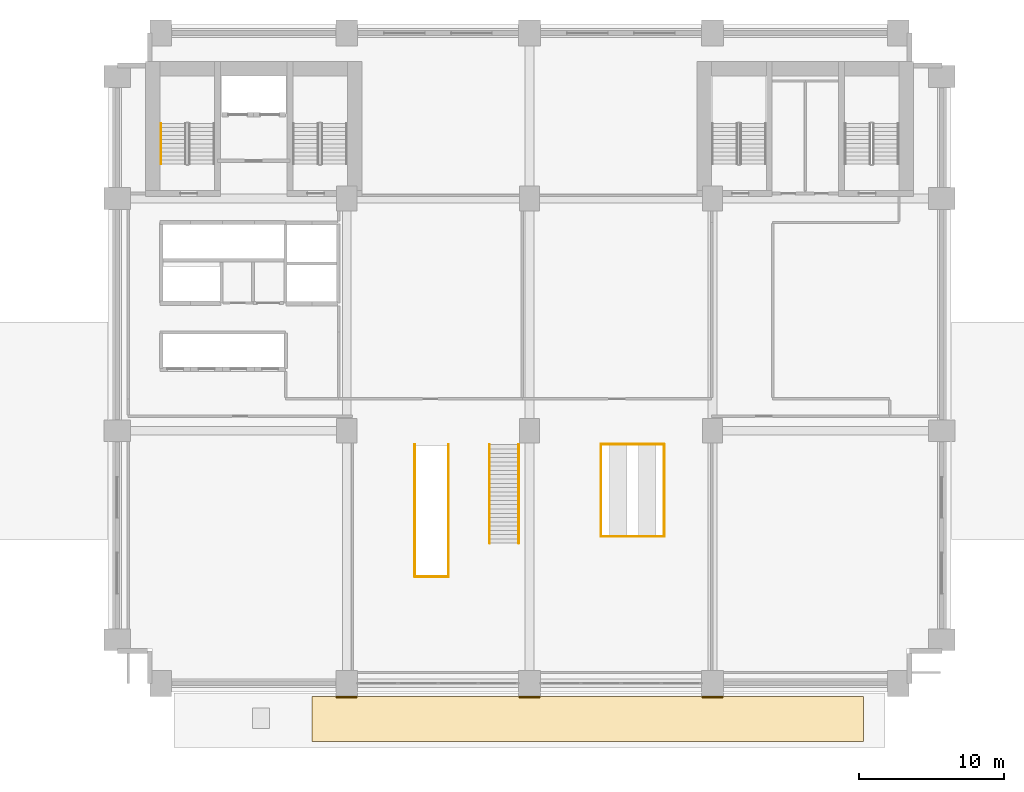
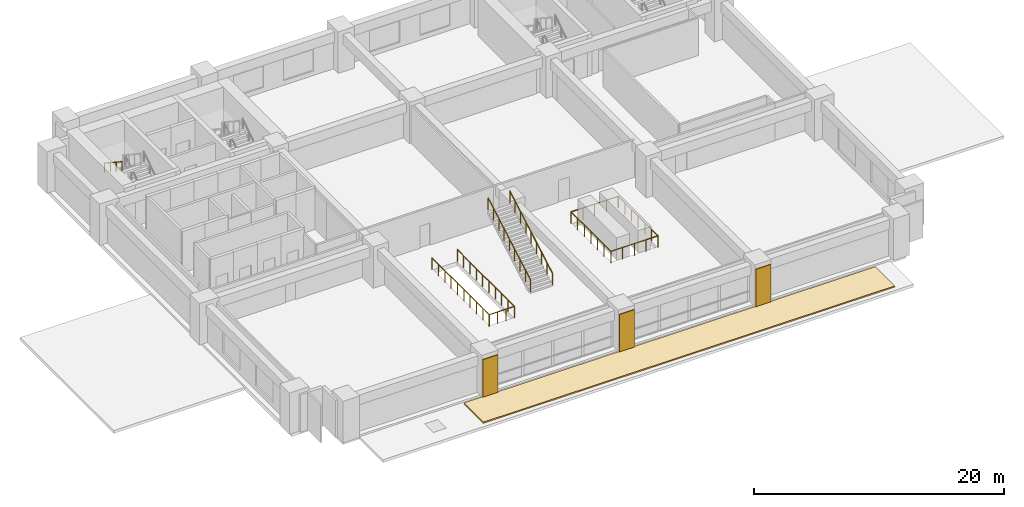
# One storey, part 8 of 11: 10 railings, 4 coverings.
"""IFC4 building model written with IfcOpenShell, lengths in metres."""

from ifc_helpers import new_model, si_unit, direction, frame, origin, origin_2d, place, context, subcontext, project, spatial, polyline, circle, outline, extrude, material, layer, layer_set, type_object, element, save


model = new_model("IFC4")

# Units and contexts
model_context = context("Model", 3, precision=1e-05, world=origin(), true_north=direction((0.0, 1.0)))
body_context = subcontext(model_context, "Body", "Model", "MODEL_VIEW")
ifc_project = project(units=[si_unit("LENGTHUNIT", "METRE"), si_unit("AREAUNIT", "SQUARE_METRE"), si_unit("VOLUMEUNIT", "CUBIC_METRE"), si_unit("PLANEANGLEUNIT", "RADIAN"), si_unit("MASSUNIT", "GRAM", prefix="KILO")], contexts=[model_context])

# Site, building, storey
site_placement = place(None, origin())
site = spatial("IfcSite", under=ifc_project, at=site_placement, CompositionType="ELEMENT")
building_placement = place(site_placement, origin())
building = spatial("IfcBuilding", under=site, at=building_placement, Name="Sulina Concourse Tower", CompositionType="ELEMENT")
storey_placement = place(building_placement, frame((0.0, 0.0, 5.39990234375)))
storey = spatial("IfcBuildingStorey", under=building, at=storey_placement, Name="L01", CompositionType="ELEMENT", Elevation=5.39990234375)

# Coverings
ifc_material_1 = material(Name="Reconstituted architectural stone finish", Category="masonry")
ifc_layer_1 = layer(ifc_material_1, 0.080078125)
ifc_layer_set_1 = layer_set([ifc_layer_1], Name="Reconstituted architectural stone finish")
covering_type_1 = type_object("IfcCoveringType", Name="Board-Marked Architectural Precast Cladding 80mm", PredefinedType="CLADDING", material=ifc_layer_set_1)
covering_1_placement = place(storey_placement, origin())
element("IfcCovering", 1, at=covering_1_placement, inside=storey, type_object=covering_type_1, Name="L01 architectural precast pier cladding 1", PredefinedType="CLADDING", context=body_context, shape_type="SweptSolid", body=[
    extrude(outline(polyline([(15.699951171875, -0.3798828125), (17.10009765625, -0.3798828125), (17.10009765625, -0.300048828125), (15.699951171875, -0.300048828125), (15.699951171875, -0.3798828125)])), origin(), (0.0, 0.0, 1.0), 3.650146484375),
])
covering_2_placement = place(storey_placement, origin())
element("IfcCovering", 2, at=covering_2_placement, inside=storey, type_object=covering_type_1, Name="L01 architectural precast pier cladding 2", PredefinedType="CLADDING", context=body_context, shape_type="SweptSolid", body=[
    extrude(outline(polyline([(28.300048828125, -0.3798828125), (29.699951171875, -0.3798828125), (29.699951171875, -0.300048828125), (28.300048828125, -0.300048828125), (28.300048828125, -0.3798828125)])), origin(), (0.0, 0.0, 1.0), 3.650146484375),
])
covering_3_placement = place(storey_placement, origin())
element("IfcCovering", 3, at=covering_3_placement, inside=storey, type_object=covering_type_1, Name="L01 architectural precast pier cladding 3", PredefinedType="CLADDING", context=body_context, shape_type="SweptSolid", body=[
    extrude(outline(polyline([(40.89990234375, -0.3798828125), (42.300048828125, -0.3798828125), (42.300048828125, -0.300048828125), (40.89990234375, -0.300048828125), (40.89990234375, -0.3798828125)])), origin(), (0.0, 0.0, 1.0), 3.650146484375),
])

# Railings
ifc_material_2 = material(Name="Laminated glass balustrade and bronze rail", Category="glass")
railing_type_1 = type_object("IfcRailingType", Name="Concourse & Sky-Lobby Mezzanine Balustrade 1150mm", PredefinedType="BALUSTRADE", material=ifc_material_2)
for number, where, name in (
    (4, (21.090087890625, 7.93994140625, 0.0), "L01 feature stair well balustrade ST-CONC-1-HW"),
    (5, (23.409912109375, 7.93994140625, 0.0), "L01 feature stair well balustrade ST-CONC-1-HE"),
):
    element("IfcRailing", number, at=place(storey_placement, frame(where)), inside=storey, type_object=railing_type_1, Name=name, PredefinedType="BALUSTRADE", context=body_context, shape_type="SweptSolid", body=[
        extrude(circle(Radius=0.02490234375, at=origin_2d()), frame((0.0, 0.0, 1.125), z_axis=(0.0, 1.0, 0.0), x_axis=(-1.0, 0.0, 0.0)), (0.0, 0.0, 1.0), 9.1201171875),
        extrude(circle(Radius=0.02099609375, at=origin_2d()), origin(), (0.0, 0.0, 1.0), 1.099853515625),
        extrude(circle(Radius=0.02099609375, at=origin_2d()), frame((0.0, 1.013427734375, 0.0)), (0.0, 0.0, 1.0), 1.099853515625),
        extrude(circle(Radius=0.02099609375, at=origin_2d()), frame((0.0, 2.026611328125, 0.0)), (0.0, 0.0, 1.0), 1.099853515625),
        extrude(circle(Radius=0.02099609375, at=origin_2d()), frame((0.0, 3.0400390625, 0.0)), (0.0, 0.0, 1.0), 1.099853515625),
        extrude(circle(Radius=0.02099609375, at=origin_2d()), frame((0.0, 4.053466796875, 0.0)), (0.0, 0.0, 1.0), 1.099853515625),
        extrude(circle(Radius=0.02099609375, at=origin_2d()), frame((0.0, 5.066650390625, 0.0)), (0.0, 0.0, 1.0), 1.099853515625),
        extrude(circle(Radius=0.02099609375, at=origin_2d()), frame((0.0, 6.080078125, 0.0)), (0.0, 0.0, 1.0), 1.099853515625),
        extrude(circle(Radius=0.02099609375, at=origin_2d()), frame((0.0, 7.093505859375, 0.0)), (0.0, 0.0, 1.0), 1.099853515625),
        extrude(circle(Radius=0.02099609375, at=origin_2d()), frame((0.0, 8.106689453125, 0.0)), (0.0, 0.0, 1.0), 1.099853515625),
        extrude(circle(Radius=0.02099609375, at=origin_2d()), frame((0.0, 9.1201171875, 0.0)), (0.0, 0.0, 1.0), 1.099853515625),
    ])
railing_1_placement = place(storey_placement, frame((21.090087890625, 7.93994140625, 0.0)))
element("IfcRailing", 6, at=railing_1_placement, inside=storey, type_object=railing_type_1, Name="L01 feature stair well balustrade ST-CONC-1-HS", PredefinedType="BALUSTRADE", context=body_context, shape_type="SweptSolid", body=[
    extrude(circle(Radius=0.02490234375, at=origin_2d()), frame((0.0, 0.0, 1.125), z_axis=(1.0, 0.0, 0.0), x_axis=(0.0, 1.0, 0.0)), (0.0, 0.0, 1.0), 2.31982421875),
    extrude(circle(Radius=0.02099609375, at=origin_2d()), origin(), (0.0, 0.0, 1.0), 1.099853515625),
    extrude(circle(Radius=0.02099609375, at=origin_2d()), frame((0.773193359375, 0.0, 0.0)), (0.0, 0.0, 1.0), 1.099853515625),
    extrude(circle(Radius=0.02099609375, at=origin_2d()), frame((1.546630859375, 0.0, 0.0)), (0.0, 0.0, 1.0), 1.099853515625),
    extrude(circle(Radius=0.02099609375, at=origin_2d()), frame((2.31982421875, 0.0, 0.0)), (0.0, 0.0, 1.0), 1.099853515625),
])
for number, where, name in (
    (7, (26.25, 10.2548828125, 0.1689453125), "ST-CONC-2-L01 balustrade 1"),
    (8, (28.25, 10.2548828125, 0.1689453125), "ST-CONC-2-L01 balustrade 2"),
):
    element("IfcRailing", number, at=place(storey_placement, frame(where)), inside=storey, type_object=railing_type_1, Name=name, PredefinedType="BALUSTRADE", context=body_context, shape_type="SweptSolid", body=[
        extrude(circle(Radius=0.02392578125, at=origin_2d()), frame((0.0, 0.0, 1.1259765625), z_axis=(0.0, 0.8680297159, 0.496512247901), x_axis=(-1.0, 0.0, 0.0)), (0.0, 0.0, 1.0), 7.816650390625),
        extrude(circle(Radius=0.02099609375, at=origin_2d()), origin(), (0.0, 0.0, 1.0), 1.101806640625),
        extrude(circle(Radius=0.02099609375, at=origin_2d()), frame((0.0, 0.84814453125, 0.485107421875)), (0.0, 0.0, 1.0), 1.101806640625),
        extrude(circle(Radius=0.02099609375, at=origin_2d()), frame((0.0, 1.6962890625, 0.97021484375)), (0.0, 0.0, 1.0), 1.101806640625),
        extrude(circle(Radius=0.02099609375, at=origin_2d()), frame((0.0, 2.54443359375, 1.455322265625)), (0.0, 0.0, 1.0), 1.101806640625),
        extrude(circle(Radius=0.02099609375, at=origin_2d()), frame((0.0, 3.392578125, 1.9404296875)), (0.0, 0.0, 1.0), 1.101806640625),
        extrude(circle(Radius=0.02099609375, at=origin_2d()), frame((0.0, 4.24072265625, 2.42578125)), (0.0, 0.0, 1.0), 1.101806640625),
        extrude(circle(Radius=0.02099609375, at=origin_2d()), frame((0.0, 5.0888671875, 2.910888671875)), (0.0, 0.0, 1.0), 1.101806640625),
        extrude(circle(Radius=0.02099609375, at=origin_2d()), frame((0.0, 5.93701171875, 3.39599609375)), (0.0, 0.0, 1.0), 1.101806640625),
        extrude(circle(Radius=0.02099609375, at=origin_2d()), frame((0.0, 6.78515625, 3.881103515625)), (0.0, 0.0, 1.0), 1.101806640625),
    ])
for number, where, name in (
    (9, (33.919921875, 10.719970703125, 0.0), "L01 concourse escalator void balustrade VW"),
    (10, (38.280029296875, 10.719970703125, 0.0), "L01 concourse escalator void balustrade VE"),
):
    element("IfcRailing", number, at=place(storey_placement, frame(where)), inside=storey, type_object=railing_type_1, Name=name, PredefinedType="BALUSTRADE", context=body_context, shape_type="SweptSolid", body=[
        extrude(circle(Radius=0.02490234375, at=origin_2d()), frame((0.0, 0.0, 1.125), z_axis=(0.0, 1.0, 0.0), x_axis=(-1.0, 0.0, 0.0)), (0.0, 0.0, 1.0), 6.360107421875),
        extrude(circle(Radius=0.02099609375, at=origin_2d()), origin(), (0.0, 0.0, 1.0), 1.099853515625),
        extrude(circle(Radius=0.02099609375, at=origin_2d()), frame((0.0, 1.06005859375, 0.0)), (0.0, 0.0, 1.0), 1.099853515625),
        extrude(circle(Radius=0.02099609375, at=origin_2d()), frame((0.0, 2.1201171875, 0.0)), (0.0, 0.0, 1.0), 1.099853515625),
        extrude(circle(Radius=0.02099609375, at=origin_2d()), frame((0.0, 3.18017578125, 0.0)), (0.0, 0.0, 1.0), 1.099853515625),
        extrude(circle(Radius=0.02099609375, at=origin_2d()), frame((0.0, 4.239990234375, 0.0)), (0.0, 0.0, 1.0), 1.099853515625),
        extrude(circle(Radius=0.02099609375, at=origin_2d()), frame((0.0, 5.300048828125, 0.0)), (0.0, 0.0, 1.0), 1.099853515625),
        extrude(circle(Radius=0.02099609375, at=origin_2d()), frame((0.0, 6.360107421875, 0.0)), (0.0, 0.0, 1.0), 1.099853515625),
    ])
for number, where, name in (
    (11, (33.919921875, 10.719970703125, 0.0), "L01 concourse escalator void balustrade VS"),
    (12, (33.919921875, 17.080078125, 0.0), "L01 concourse escalator void balustrade VN"),
):
    element("IfcRailing", number, at=place(storey_placement, frame(where)), inside=storey, type_object=railing_type_1, Name=name, PredefinedType="BALUSTRADE", context=body_context, shape_type="SweptSolid", body=[
        extrude(circle(Radius=0.02490234375, at=origin_2d()), frame((0.0, 0.0, 1.125), z_axis=(1.0, 0.0, 0.0), x_axis=(0.0, 1.0, 0.0)), (0.0, 0.0, 1.0), 4.360107421875),
        extrude(circle(Radius=0.02099609375, at=origin_2d()), origin(), (0.0, 0.0, 1.0), 1.099853515625),
        extrude(circle(Radius=0.02099609375, at=origin_2d()), frame((1.090087890625, 0.0, 0.0)), (0.0, 0.0, 1.0), 1.099853515625),
        extrude(circle(Radius=0.02099609375, at=origin_2d()), frame((2.18017578125, 0.0, 0.0)), (0.0, 0.0, 1.0), 1.099853515625),
        extrude(circle(Radius=0.02099609375, at=origin_2d()), frame((3.27001953125, 0.0, 0.0)), (0.0, 0.0, 1.0), 1.099853515625),
        extrude(circle(Radius=0.02099609375, at=origin_2d()), frame((4.360107421875, 0.0, 0.0)), (0.0, 0.0, 1.0), 1.099853515625),
    ])

# Covering
ifc_material_3 = material(Name="EPDM waterproof roofing membrane")
ifc_layer_2 = layer(ifc_material_3, 0.1201171875)
ifc_layer_set_2 = layer_set([ifc_layer_2], Name="EPDM waterproof roofing membrane")
covering_type_2 = type_object("IfcCoveringType", Name="Insulated EPDM Waterproof Roof Membrane 120mm", PredefinedType="ROOFING", material=ifc_layer_set_2)
covering_4_placement = place(storey_placement, frame((0.0, 0.0, -0.1298828125)))
element("IfcCovering", 13, at=covering_4_placement, inside=storey, type_object=covering_type_2, Name="L01 station canopy roof membrane", PredefinedType="ROOFING", context=body_context, shape_type="SweptSolid", body=[
    extrude(outline(polyline([(14.0, -3.39990234375), (52.0, -3.39990234375), (52.0, -0.300048828125), (14.0, -0.300048828125), (14.0, -3.39990234375)])), origin(), (0.0, 0.0, 1.0), 0.119873046875),
])

# Railing
ifc_material_4 = material(Name="Galvanised steel railing", Category="steel")
railing_type_2 = type_object("IfcRailingType", Name="Stair Wall Steel Handrail 920mm", PredefinedType="HANDRAIL", material=ifc_material_4)
railing_2_placement = place(storey_placement, frame((3.60498046875, 39.175048828125, 2.209228515625)))
element("IfcRailing", 14, at=railing_2_placement, inside=storey, type_object=railing_type_2, Name="L01 ST-1 stair handrail 2", PredefinedType="HANDRAIL", context=body_context, shape_type="SweptSolid", body=[
    extrude(circle(Radius=0.02392578125, at=origin_2d()), frame((0.0, 0.0, 0.89599609375), z_axis=(0.0, -0.835597507184, 0.549342157483), x_axis=(1.0, 0.0, 0.0)), (0.0, 0.0, 1.0), 3.35107421875),
    extrude(circle(Radius=0.02099609375, at=origin_2d()), origin(), (0.0, 0.0, 1.0), 0.871826171875),
    extrude(circle(Radius=0.02099609375, at=origin_2d()), frame((0.0, -0.933349609375, 0.613525390625)), (0.0, 0.0, 1.0), 0.871826171875),
    extrude(circle(Radius=0.02099609375, at=origin_2d()), frame((0.0, -1.86669921875, 1.227294921875)), (0.0, 0.0, 1.0), 0.871826171875),
    extrude(circle(Radius=0.02099609375, at=origin_2d()), frame((0.0, -2.800048828125, 1.8408203125)), (0.0, 0.0, 1.0), 0.871826171875),
])

save(model, "model.ifc")
